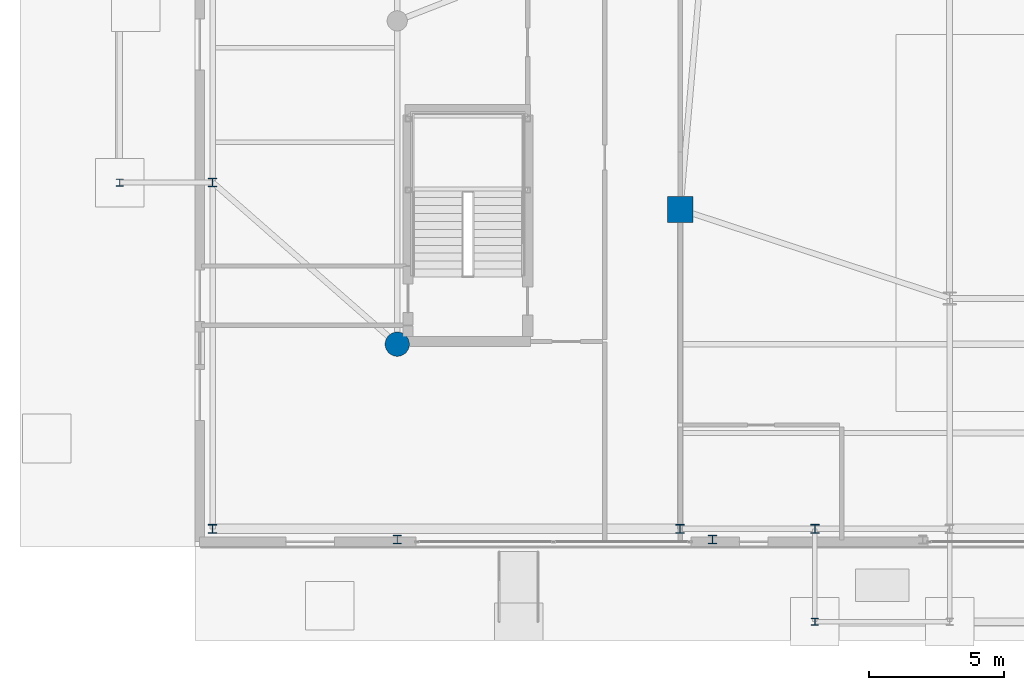
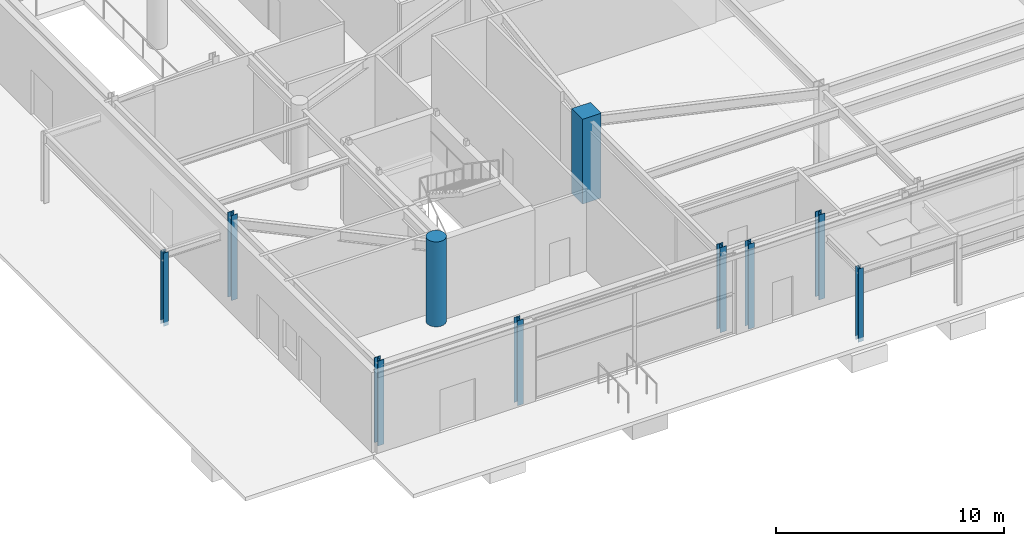
# One storey, part 2 of 29: 10 columns.
"""IFC4 building model written with IfcOpenShell, lengths in metres."""

from ifc_helpers import new_model, si_unit, direction, frame, origin, origin_2d, place, context, subcontext, project, spatial, rectangle, circle, i_section, extrude, source, transform, mapped, material, material_profile, profile_set, type_object, element, save


model = new_model("IFC4")

# Units and contexts
model_context = context("Model", 3, precision=1e-05, world=origin(), true_north=direction((0.0, 1.0)))
body_context = subcontext(model_context, "Body", "Model", "MODEL_VIEW")
ifc_project = project(units=[si_unit("LENGTHUNIT", "METRE"), si_unit("AREAUNIT", "SQUARE_METRE"), si_unit("VOLUMEUNIT", "CUBIC_METRE"), si_unit("PLANEANGLEUNIT", "RADIAN"), si_unit("MASSUNIT", "GRAM", prefix="KILO")], contexts=[model_context])

# Site, building, storey
site_placement = place(None, origin())
site = spatial("IfcSite", under=ifc_project, at=site_placement, CompositionType="ELEMENT")
building_placement = place(site_placement, origin())
building = spatial("IfcBuilding", under=site, at=building_placement, Name="Taldren Reach Tower", CompositionType="ELEMENT")
storey_placement = place(building_placement, origin())
storey = spatial("IfcBuildingStorey", under=building, at=storey_placement, Name="L00", CompositionType="ELEMENT", Elevation=0.0)

# Columns
ifc_material_1 = material(Name="Steel Gr 350 (350PLUS)", Category="steel")
ifc_material_profile_1 = material_profile(ifc_material_1, i_section(OverallWidth=0.256103515625, OverallDepth=0.260009765625, WebThickness=0.010498046875, FlangeThickness=0.017333984375, at=origin_2d()), Name="250UC89.5")
ifc_profile_set_1 = profile_set([ifc_material_profile_1], Name="Steel Gr 350 (350PLUS)")
column_type_1 = type_object("IfcColumnType", Name="COL-UC250", PredefinedType="COLUMN", material=ifc_profile_set_1)
shared_shape_1 = source(origin(), body_context, "Body", "SweptSolid", [
    extrude(i_section(OverallWidth=0.256103515625, OverallDepth=0.260009765625, WebThickness=0.010498046875, FlangeThickness=0.017333984375, at=origin_2d()), origin(), (0.0, 0.0, 1.0), 3.929931640625),
])
for number, where, z_axis, x_axis, name in (
    (1, (23.0, -2.800048828125, -0.2099609375), (0.0, 0.0, 1.0), (1.0, 0.0, 0.0), "Canopy support post COL-CAN-1"),
    (2, (-2.800048828125, 13.5, -0.2099609375), (0.0, 0.0, 1.0), (1.0, 0.0, 0.0), "Canopy support post COL-CAN-5"),
):
    element("IfcColumn", number, at=place(storey_placement, frame(where, z_axis=z_axis, x_axis=x_axis)), inside=storey, type_object=column_type_1, Name=name, PredefinedType="COLUMN", context=body_context, shape_type="MappedRepresentation", body=[
        mapped(shared_shape_1, transform((0.0, 0.0, 0.0), scale=1.0)),
    ])
ifc_material_2 = material(Name="Concrete S80 (80 MPa)", Category="concrete")
ifc_material_profile_2 = material_profile(ifc_material_2, rectangle(XDim=0.949951171875, YDim=0.949951171875, at=origin_2d()), Name="RC-950x950")
ifc_profile_set_2 = profile_set([ifc_material_profile_2], Name="Concrete S80 (80 MPa)")
column_type_2 = type_object("IfcColumnType", Name="COL-RC950", PredefinedType="COLUMN", material=ifc_profile_set_2)
shared_shape_2 = source(origin(), body_context, "Body", "SweptSolid", [
    extrude(rectangle(XDim=0.949951171875, YDim=0.949951171875, at=origin_2d()), origin(), (0.0, 0.0, 1.0), 4.550048828125),
])
column_1_placement = place(storey_placement, frame((18.0, 12.5, 0.0), z_axis=(0.0, 0.0, 1.0), x_axis=(1.0, 0.0, 0.0)))
element("IfcColumn", 3, at=column_1_placement, inside=storey, type_object=column_type_2, Name="Mega column MC-SW L00", PredefinedType="COLUMN", context=body_context, shape_type="MappedRepresentation", body=[
    mapped(shared_shape_2, transform((0.0, 0.0, 0.0), scale=1.0)),
])
ifc_material_profile_3 = material_profile(ifc_material_2, circle(Radius=0.449951171875, at=origin_2d()), Name="RC-900D")
ifc_profile_set_3 = profile_set([ifc_material_profile_3], Name="Concrete S80 (80 MPa)")
column_type_3 = type_object("IfcColumnType", Name="COL-RCD900", PredefinedType="COLUMN", material=ifc_profile_set_3)
shared_shape_3 = source(origin(), body_context, "Body", "SweptSolid", [
    extrude(circle(Radius=0.449951171875, at=origin_2d()), origin(), (0.0, 0.0, 1.0), 4.550048828125),
])
column_2_placement = place(storey_placement, frame((7.5, 7.5, 0.0), z_axis=(0.0, 0.0, 1.0), x_axis=(1.0, 0.0, 0.0)))
element("IfcColumn", 4, at=column_2_placement, inside=storey, type_object=column_type_3, Name="Podium structural column PG-1 L00", PredefinedType="COLUMN", context=body_context, shape_type="MappedRepresentation", body=[
    mapped(shared_shape_3, transform((0.0, 0.0, 0.0), scale=1.0)),
])
ifc_material_profile_4 = material_profile(ifc_material_1, i_section(OverallWidth=0.31103515625, OverallDepth=0.326904296875, WebThickness=0.015625, FlangeThickness=0.02490234375, at=origin_2d()), Name="310UC158")
ifc_profile_set_4 = profile_set([ifc_material_profile_4], Name="Steel Gr 350 (350PLUS)")
column_type_4 = type_object("IfcColumnType", Name="COL-UC310A", PredefinedType="COLUMN", material=ifc_profile_set_4)
shared_shape_4 = source(origin(), body_context, "Body", "SweptSolid", [
    extrude(i_section(OverallWidth=0.31103515625, OverallDepth=0.326904296875, WebThickness=0.015625, FlangeThickness=0.02490234375, at=origin_2d()), origin(), (0.0, 0.0, 1.0), 4.550048828125),
])
for number, where, z_axis, x_axis, name in (
    (5, (0.64990234375, 0.64990234375, 0.0), (0.0, 0.0, 1.0), (1.0, 0.0, 0.0), "Podium structural column PP-W1 L00"),
    (6, (0.64990234375, 13.5, 0.0), (0.0, 0.0, 1.0), (1.0, 0.0, 0.0), "Podium structural column PP-W2 L00"),
    (7, (18.0, 0.64990234375, 0.0), (0.0, 0.0, 1.0), (1.0, 0.0, 0.0), "Podium structural column PP-S1 L00"),
    (8, (23.0, 0.64990234375, 0.0), (0.0, 0.0, 1.0), (1.0, 0.0, 0.0), "Podium structural column PP-S2 L00"),
):
    element("IfcColumn", number, at=place(storey_placement, frame(where, z_axis=z_axis, x_axis=x_axis)), inside=storey, type_object=column_type_4, Name=name, PredefinedType="COLUMN", context=body_context, shape_type="MappedRepresentation", body=[
        mapped(shared_shape_4, transform((0.0, 0.0, 0.0), scale=1.0)),
    ])
ifc_material_profile_5 = material_profile(ifc_material_1, i_section(OverallWidth=0.306884765625, OverallDepth=0.31494140625, WebThickness=0.011962890625, FlangeThickness=0.018798828125, at=origin_2d()), Name="310UC118")
ifc_profile_set_5 = profile_set([ifc_material_profile_5], Name="Steel Gr 350 (350PLUS)")
column_type_5 = type_object("IfcColumnType", Name="PIL-UC310", PredefinedType="PILASTER", material=ifc_profile_set_5)
shared_shape_5 = source(origin(), body_context, "Body", "SweptSolid", [
    extrude(i_section(OverallWidth=0.306884765625, OverallDepth=0.31494140625, WebThickness=0.011962890625, FlangeThickness=0.018798828125, at=origin_2d()), origin(), (0.0, 0.0, 1.0), 4.550048828125),
])
for number, where, z_axis, x_axis, name in (
    (9, (7.5, 0.25, 0.0), (0.0, 0.0, 1.0), (1.0, 0.0, 0.0), "Waterfront colonnade pilaster S-7.5 L00"),
    (10, (19.199951171875, 0.25, 0.0), (0.0, 0.0, 1.0), (1.0, 0.0, 0.0), "Waterfront colonnade pilaster S-19.2 L00"),
):
    element("IfcColumn", number, at=place(storey_placement, frame(where, z_axis=z_axis, x_axis=x_axis)), inside=storey, type_object=column_type_5, Name=name, PredefinedType="PILASTER", context=body_context, shape_type="MappedRepresentation", body=[
        mapped(shared_shape_5, transform((0.0, 0.0, 0.0), scale=1.0)),
    ])

save(model, "model.ifc")
